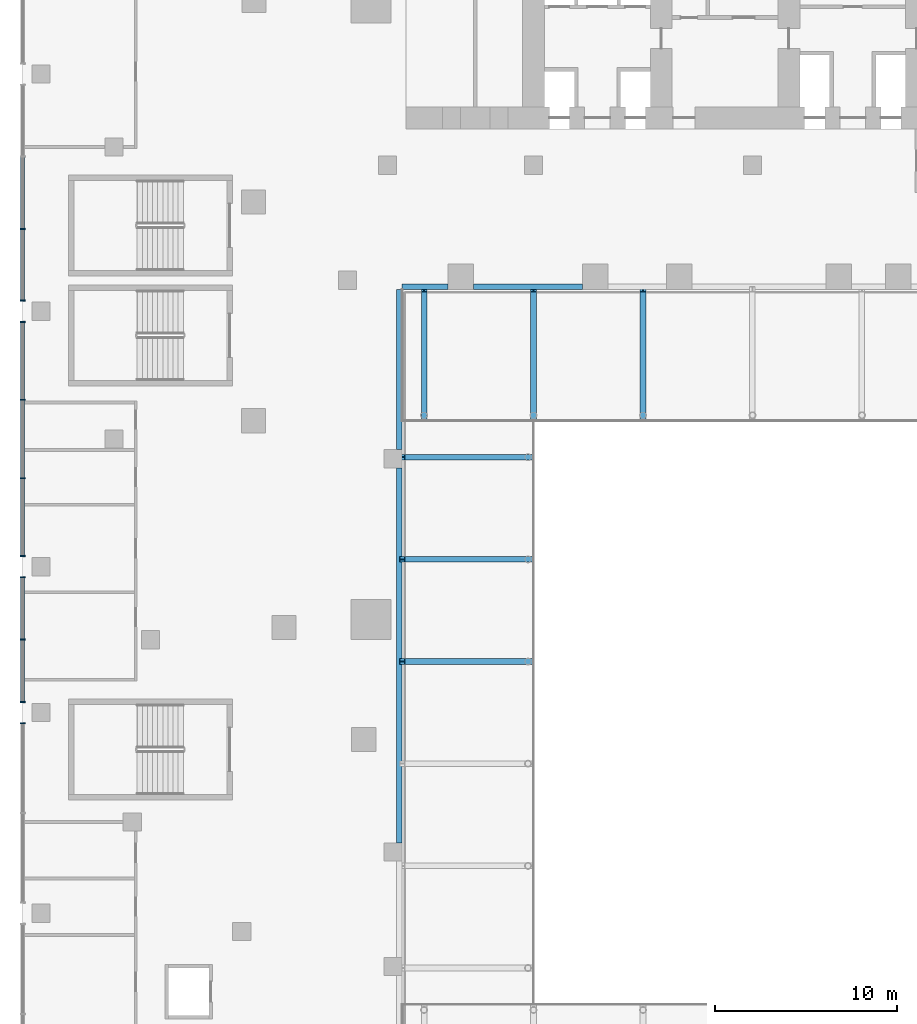
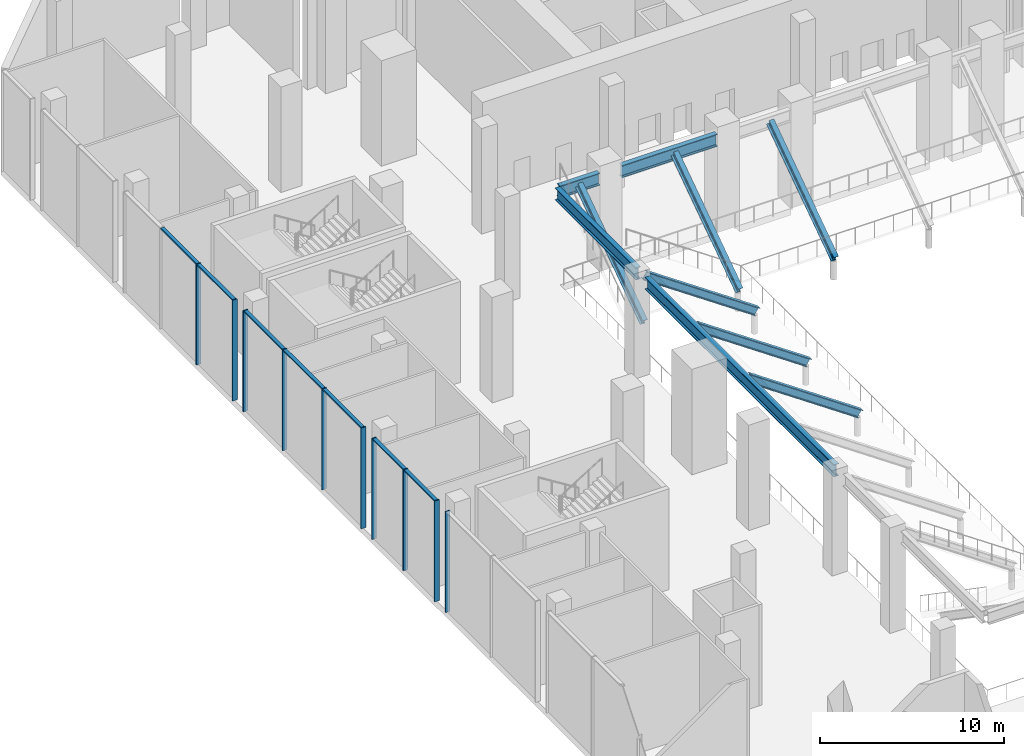
# One storey, part 11 of 41: 17 members, 10 beams, 4 elements without a shape of their own.
"""IFC4 building model written with IfcOpenShell, lengths in metres."""

from ifc_helpers import new_model, si_unit, direction, frame, origin, origin_2d, place, context, subcontext, project, spatial, rectangle, i_section, extrude, material, material_profile, profile_set, type_object, element, aggregate, save


model = new_model("IFC4")

# Units and contexts
model_context = context("Model", 3, precision=1e-05, world=origin(), true_north=direction((0.0, 1.0)))
body_context = subcontext(model_context, "Body", "Model", "MODEL_VIEW")
ifc_project = project(units=[si_unit("LENGTHUNIT", "METRE"), si_unit("AREAUNIT", "SQUARE_METRE"), si_unit("VOLUMEUNIT", "CUBIC_METRE"), si_unit("PLANEANGLEUNIT", "RADIAN"), si_unit("MASSUNIT", "GRAM", prefix="KILO")], contexts=[model_context])

# Site, building, storey
site_placement = place(None, origin())
site = spatial("IfcSite", under=ifc_project, at=site_placement, CompositionType="ELEMENT")
building_placement = place(site_placement, origin())
building = spatial("IfcBuilding", under=site, at=building_placement, Name="Wharfspan Tower", CompositionType="ELEMENT")
storey_placement = place(building_placement, frame((0.0, 0.0, 8.0)))
storey = spatial("IfcBuildingStorey", under=building, at=storey_placement, Name="L01", CompositionType="ELEMENT", Elevation=8.0)

# Curtain wall, members
ifc_material_1 = material(Name="Aluminium 6063-T6", Category="aluminium")
curtain_wall_type = type_object("IfcCurtainWallType", Name="CURTAIN WALL ARENA STICK WALL", PredefinedType="NOTDEFINED", material=ifc_material_1)
curtain_wall_1_placement = place(storey_placement, origin())
curtain_wall_1 = element("IfcCurtainWall", 1, at=curtain_wall_1_placement, inside=storey, type_object=curtain_wall_type, Name="Concourse stick wall PF12.3", PredefinedType="NOTDEFINED")
ifc_material_profile_1 = material_profile(ifc_material_1, rectangle(XDim=0.300049, YDim=0.070068, at=origin_2d()))
ifc_profile_set_1 = profile_set([ifc_material_profile_1], Name="Aluminium 6063-T6")
member_type_1 = type_object("IfcMemberType", Name="MULLION ARENA STICK WALL 70x300", PredefinedType="MULLION", material=ifc_profile_set_1)
member_1_placement = place(storey_placement, frame((-12.0, 28.516602, 0.0), z_axis=(0.0, 0.0, 1.0), x_axis=(1.0, 0.0, 0.0)))
member_1 = element("IfcMember", 2, at=member_1_placement, type_object=member_type_1, Name="Concourse stick wall PF12.3 mullion 3", PredefinedType="MULLION", context=body_context, shape_type="SweptSolid", body=[
    extrude(rectangle(XDim=0.300049, YDim=0.070068, at=origin_2d()), origin(), (0.0, 0.0, 1.0), 6.699951),
])
member_2_placement = place(storey_placement, frame((-12.0, 24.584961, 0.0), z_axis=(0.0, 0.0, 1.0), x_axis=(1.0, 0.0, 0.0)))
member_2 = element("IfcMember", 3, at=member_2_placement, type_object=member_type_1, Name="Concourse stick wall PF12.3 mullion 4", PredefinedType="MULLION", context=body_context, shape_type="SweptSolid", body=[
    extrude(rectangle(XDim=0.300049, YDim=0.070068, at=origin_2d()), origin(), (0.0, 0.0, 1.0), 6.699951),
])

curtain_wall_2_placement = place(storey_placement, origin())
curtain_wall_2 = element("IfcCurtainWall", 4, at=curtain_wall_2_placement, inside=storey, type_object=curtain_wall_type, Name="Concourse stick wall PF12.4", PredefinedType="NOTDEFINED")
member_3_placement = place(storey_placement, frame((-12.0, 23.415039, 0.0), z_axis=(0.0, 0.0, 1.0), x_axis=(1.0, 0.0, 0.0)))
member_3 = element("IfcMember", 5, at=member_3_placement, type_object=member_type_1, Name="Concourse stick wall PF12.4 mullion 1", PredefinedType="MULLION", context=body_context, shape_type="SweptSolid", body=[
    extrude(rectangle(XDim=0.300049, YDim=0.070068, at=origin_2d()), origin(), (0.0, 0.0, 1.0), 6.699951),
])
member_4_placement = place(storey_placement, frame((-12.0, 19.149902, 0.0), z_axis=(0.0, 0.0, 1.0), x_axis=(1.0, 0.0, 0.0)))
member_4 = element("IfcMember", 6, at=member_4_placement, type_object=member_type_1, Name="Concourse stick wall PF12.4 mullion 2", PredefinedType="MULLION", context=body_context, shape_type="SweptSolid", body=[
    extrude(rectangle(XDim=0.300049, YDim=0.070068, at=origin_2d()), origin(), (0.0, 0.0, 1.0), 6.699951),
])
member_5_placement = place(storey_placement, frame((-12.0, 14.850098, 0.0), z_axis=(0.0, 0.0, 1.0), x_axis=(1.0, 0.0, 0.0)))
member_5 = element("IfcMember", 7, at=member_5_placement, type_object=member_type_1, Name="Concourse stick wall PF12.4 mullion 3", PredefinedType="MULLION", context=body_context, shape_type="SweptSolid", body=[
    extrude(rectangle(XDim=0.300049, YDim=0.070068, at=origin_2d()), origin(), (0.0, 0.0, 1.0), 6.699951),
])
member_6_placement = place(storey_placement, frame((-12.0, 10.584961, 0.0), z_axis=(0.0, 0.0, 1.0), x_axis=(1.0, 0.0, 0.0)))
member_6 = element("IfcMember", 8, at=member_6_placement, type_object=member_type_1, Name="Concourse stick wall PF12.4 mullion 4", PredefinedType="MULLION", context=body_context, shape_type="SweptSolid", body=[
    extrude(rectangle(XDim=0.300049, YDim=0.070068, at=origin_2d()), origin(), (0.0, 0.0, 1.0), 6.699951),
])

curtain_wall_3_placement = place(storey_placement, origin())
curtain_wall_3 = element("IfcCurtainWall", 9, at=curtain_wall_3_placement, inside=storey, type_object=curtain_wall_type, Name="Concourse stick wall PF12.5", PredefinedType="NOTDEFINED")
member_7_placement = place(storey_placement, frame((-12.0, 9.415039, 0.0), z_axis=(0.0, 0.0, 1.0), x_axis=(1.0, 0.0, 0.0)))
member_7 = element("IfcMember", 10, at=member_7_placement, type_object=member_type_1, Name="Concourse stick wall PF12.5 mullion 1", PredefinedType="MULLION", context=body_context, shape_type="SweptSolid", body=[
    extrude(rectangle(XDim=0.300049, YDim=0.070068, at=origin_2d()), origin(), (0.0, 0.0, 1.0), 6.699951),
])
member_8_placement = place(storey_placement, frame((-12.0, 6.0, 0.0), z_axis=(0.0, 0.0, 1.0), x_axis=(1.0, 0.0, 0.0)))
member_8 = element("IfcMember", 11, at=member_8_placement, type_object=member_type_1, Name="Concourse stick wall PF12.5 mullion 2", PredefinedType="MULLION", context=body_context, shape_type="SweptSolid", body=[
    extrude(rectangle(XDim=0.300049, YDim=0.070068, at=origin_2d()), origin(), (0.0, 0.0, 1.0), 6.699951),
])
member_9_placement = place(storey_placement, frame((-12.0, 2.584961, 0.0), z_axis=(0.0, 0.0, 1.0), x_axis=(1.0, 0.0, 0.0)))
member_9 = element("IfcMember", 12, at=member_9_placement, type_object=member_type_1, Name="Concourse stick wall PF12.5 mullion 3", PredefinedType="MULLION", context=body_context, shape_type="SweptSolid", body=[
    extrude(rectangle(XDim=0.300049, YDim=0.070068, at=origin_2d()), origin(), (0.0, 0.0, 1.0), 6.699951),
])

# Curtain wall, member
curtain_wall_4_placement = place(storey_placement, origin())
curtain_wall_4 = element("IfcCurtainWall", 13, at=curtain_wall_4_placement, inside=storey, type_object=curtain_wall_type, Name="Concourse stick wall PF12.6", PredefinedType="NOTDEFINED")
member_10_placement = place(storey_placement, frame((-12.0, 1.415039, 0.0), z_axis=(0.0, 0.0, 1.0), x_axis=(1.0, 0.0, 0.0)))
member_10 = element("IfcMember", 14, at=member_10_placement, type_object=member_type_1, Name="Concourse stick wall PF12.6 mullion 1", PredefinedType="MULLION", context=body_context, shape_type="SweptSolid", body=[
    extrude(rectangle(XDim=0.300049, YDim=0.070068, at=origin_2d()), origin(), (0.0, 0.0, 1.0), 6.699951),
])
aggregate(curtain_wall_4, [member_10])

# Beams
ifc_material_2 = material(Name="Steel S460M", Category="steel")
ifc_material_profile_2 = material_profile(ifc_material_2, i_section(OverallWidth=0.305908, OverallDepth=0.523926, WebThickness=0.020996, FlangeThickness=0.040039, FilletRadius=0.0271, at=origin_2d()))
ifc_profile_set_2 = profile_set([ifc_material_profile_2], Name="Steel S460M")
beam_type_1 = type_object("IfcBeamType", Name="Raker beam HE 500 M", PredefinedType="BEAM", material=ifc_profile_set_2)
for number, where, z_axis, x_axis, name in (
    (15, (10.0, 18.148438, 1.384033), (0.0, 0.824029, 0.566547), (-1.0, 0.0, 0.0), "Upper tier raker beam"),
    (16, (16.0, 18.148438, 1.384033), (0.0, 0.824029, 0.566547), (-1.0, 0.0, 0.0), "Upper tier raker beam"),
    (17, (22.0, 18.148438, 1.384033), (0.0, 0.824029, 0.566547), (-1.0, 0.0, 0.0), "Upper tier raker beam"),
    (18, (15.851562, 4.800049, 1.384033), (-0.824029, 0.0, 0.566547), (0.0, -1.0, 0.0), "Upper tier raker beam"),
    (19, (15.851562, 10.399902, 1.384033), (-0.824029, 0.0, 0.566547), (0.0, -1.0, 0.0), "Upper tier raker beam"),
    (20, (15.851562, 16.0, 1.384033), (-0.824029, 0.0, 0.566547), (0.0, -1.0, 0.0), "Upper tier raker beam"),
):
    element("IfcBeam", number, at=place(storey_placement, frame(where, z_axis=z_axis, x_axis=x_axis)), inside=storey, type_object=beam_type_1, Name=name, PredefinedType="BEAM", context=body_context, shape_type="SweptSolid", body=[
        extrude(i_section(OverallWidth=0.305908, OverallDepth=0.523926, WebThickness=0.020996, FlangeThickness=0.040039, FilletRadius=0.0271, at=origin_2d()), origin(), (0.0, 0.0, 1.0), 8.557373),
    ])
ifc_material_profile_3 = material_profile(ifc_material_2, i_section(OverallWidth=0.302979, OverallDepth=0.813965, WebThickness=0.020996, FlangeThickness=0.040039, FilletRadius=0.030029, at=origin_2d()))
ifc_profile_set_3 = profile_set([ifc_material_profile_3], Name="Steel S460M")
beam_type_2 = type_object("IfcBeamType", Name="Ring girder HE 800 M", PredefinedType="BEAM", material=ifc_profile_set_3)
beam_1_placement = place(storey_placement, frame((8.800049, 25.351562, 6.143066), z_axis=(1.0, 0.0, 0.0), x_axis=(0.0, 1.0, 0.0)))
element("IfcBeam", 21, at=beam_1_placement, inside=storey, type_object=beam_type_2, Name="Ring girder of the upper tier", PredefinedType="BEAM", context=body_context, shape_type="SweptSolid", body=[
    extrude(i_section(OverallWidth=0.302979, OverallDepth=0.813965, WebThickness=0.020996, FlangeThickness=0.040039, FilletRadius=0.030029, at=origin_2d()), origin(), (0.0, 0.0, 1.0), 2.5),
])
beam_2_placement = place(storey_placement, frame((12.699951, 25.351562, 6.143066), z_axis=(1.0, 0.0, 0.0), x_axis=(0.0, 1.0, 0.0)))
element("IfcBeam", 22, at=beam_2_placement, inside=storey, type_object=beam_type_2, Name="Ring girder of the upper tier", PredefinedType="BEAM", context=body_context, shape_type="SweptSolid", body=[
    extrude(i_section(OverallWidth=0.302979, OverallDepth=0.813965, WebThickness=0.020996, FlangeThickness=0.040039, FilletRadius=0.030029, at=origin_2d()), origin(), (0.0, 0.0, 1.0), 5.990967),
])
beam_3_placement = place(storey_placement, frame((8.648438, -5.139893, 6.143066), z_axis=(0.0, 1.0, 0.0), x_axis=(-1.0, 0.0, 0.0)))
element("IfcBeam", 23, at=beam_3_placement, inside=storey, type_object=beam_type_2, Name="Ring girder of the upper tier", PredefinedType="BEAM", context=body_context, shape_type="SweptSolid", body=[
    extrude(i_section(OverallWidth=0.302979, OverallDepth=0.813965, WebThickness=0.020996, FlangeThickness=0.040039, FilletRadius=0.030029, at=origin_2d()), origin(), (0.0, 0.0, 1.0), 20.559814),
])
beam_4_placement = place(storey_placement, frame((8.648438, 16.419922, 6.143066), z_axis=(0.0, 1.0, 0.0), x_axis=(-1.0, 0.0, 0.0)))
element("IfcBeam", 24, at=beam_4_placement, inside=storey, type_object=beam_type_2, Name="Ring girder of the upper tier", PredefinedType="BEAM", context=body_context, shape_type="SweptSolid", body=[
    extrude(i_section(OverallWidth=0.302979, OverallDepth=0.813965, WebThickness=0.020996, FlangeThickness=0.040039, FilletRadius=0.030029, at=origin_2d()), origin(), (0.0, 0.0, 1.0), 8.780029),
])

# Member
ifc_material_profile_4 = material_profile(ifc_material_1, rectangle(XDim=0.219971, YDim=0.090088, at=origin_2d()))
ifc_profile_set_4 = profile_set([ifc_material_profile_4], Name="Aluminium 6063-T6")
member_type_2 = type_object("IfcMemberType", Name="TRANSOM ARENA STICK WALL 90x220", PredefinedType="USERDEFINED", material=ifc_profile_set_4)
member_11_placement = place(storey_placement, frame((-12.0, 32.448242, 6.655029), z_axis=(0.0, -1.0, 0.0), x_axis=(1.0, 0.0, 0.0)))
member_11 = element("IfcMember", 25, at=member_11_placement, type_object=member_type_2, Name="Concourse stick wall PF12.3 transom 2", ObjectType="TRANSOM", PredefinedType="USERDEFINED", context=body_context, shape_type="SweptSolid", body=[
    extrude(rectangle(XDim=0.219971, YDim=0.090088, at=origin_2d()), origin(), (0.0, 0.0, 1.0), 3.896484),
])

member_12_placement = place(storey_placement, frame((-12.0, 28.481689, 6.655029), z_axis=(0.0, -1.0, 0.0), x_axis=(1.0, 0.0, 0.0)))
member_12 = element("IfcMember", 26, at=member_12_placement, type_object=member_type_2, Name="Concourse stick wall PF12.3 transom 3", ObjectType="TRANSOM", PredefinedType="USERDEFINED", context=body_context, shape_type="SweptSolid", body=[
    extrude(rectangle(XDim=0.219971, YDim=0.090088, at=origin_2d()), origin(), (0.0, 0.0, 1.0), 3.861572),
])

aggregate(curtain_wall_1, [member_1, member_2, member_11, member_12])

member_13_placement = place(storey_placement, frame((-12.0, 23.379883, 6.655029), z_axis=(0.0, -1.0, 0.0), x_axis=(1.0, 0.0, 0.0)))
member_13 = element("IfcMember", 27, at=member_13_placement, type_object=member_type_2, Name="Concourse stick wall PF12.4 transom 1", ObjectType="TRANSOM", PredefinedType="USERDEFINED", context=body_context, shape_type="SweptSolid", body=[
    extrude(rectangle(XDim=0.219971, YDim=0.090088, at=origin_2d()), origin(), (0.0, 0.0, 1.0), 4.194824),
])

member_14_placement = place(storey_placement, frame((-12.0, 19.11499, 6.655029), z_axis=(0.0, -1.0, 0.0), x_axis=(1.0, 0.0, 0.0)))
member_14 = element("IfcMember", 28, at=member_14_placement, type_object=member_type_2, Name="Concourse stick wall PF12.4 transom 2", ObjectType="TRANSOM", PredefinedType="USERDEFINED", context=body_context, shape_type="SweptSolid", body=[
    extrude(rectangle(XDim=0.219971, YDim=0.090088, at=origin_2d()), origin(), (0.0, 0.0, 1.0), 4.22998),
])

member_15_placement = place(storey_placement, frame((-12.0, 14.814941, 6.655029), z_axis=(0.0, -1.0, 0.0), x_axis=(1.0, 0.0, 0.0)))
member_15 = element("IfcMember", 29, at=member_15_placement, type_object=member_type_2, Name="Concourse stick wall PF12.4 transom 3", ObjectType="TRANSOM", PredefinedType="USERDEFINED", context=body_context, shape_type="SweptSolid", body=[
    extrude(rectangle(XDim=0.219971, YDim=0.090088, at=origin_2d()), origin(), (0.0, 0.0, 1.0), 4.194824),
])

aggregate(curtain_wall_2, [member_3, member_4, member_5, member_6, member_13, member_14, member_15])

member_16_placement = place(storey_placement, frame((-12.0, 9.379883, 6.655029), z_axis=(0.0, -1.0, 0.0), x_axis=(1.0, 0.0, 0.0)))
member_16 = element("IfcMember", 30, at=member_16_placement, type_object=member_type_2, Name="Concourse stick wall PF12.5 transom 1", ObjectType="TRANSOM", PredefinedType="USERDEFINED", context=body_context, shape_type="SweptSolid", body=[
    extrude(rectangle(XDim=0.219971, YDim=0.090088, at=origin_2d()), origin(), (0.0, 0.0, 1.0), 3.344971),
])

member_17_placement = place(storey_placement, frame((-12.0, 5.965088, 6.655029), z_axis=(0.0, -1.0, 0.0), x_axis=(1.0, 0.0, 0.0)))
member_17 = element("IfcMember", 31, at=member_17_placement, type_object=member_type_2, Name="Concourse stick wall PF12.5 transom 2", ObjectType="TRANSOM", PredefinedType="USERDEFINED", context=body_context, shape_type="SweptSolid", body=[
    extrude(rectangle(XDim=0.219971, YDim=0.090088, at=origin_2d()), origin(), (0.0, 0.0, 1.0), 3.344971),
])

aggregate(curtain_wall_3, [member_7, member_8, member_9, member_16, member_17])

save(model, "model.ifc")
